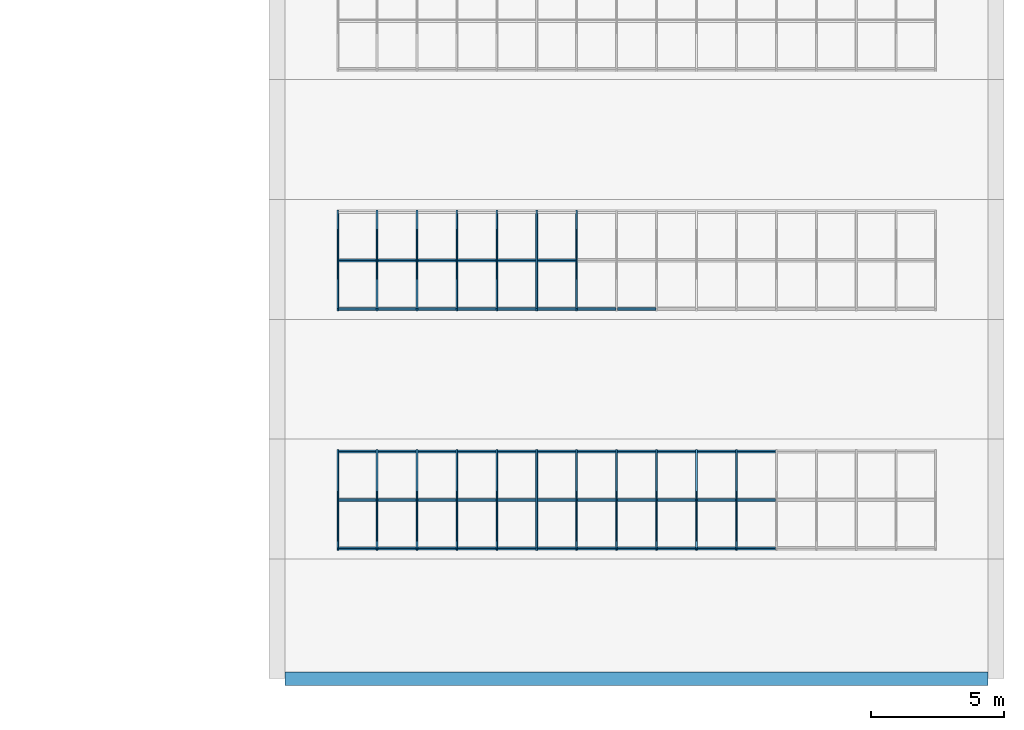
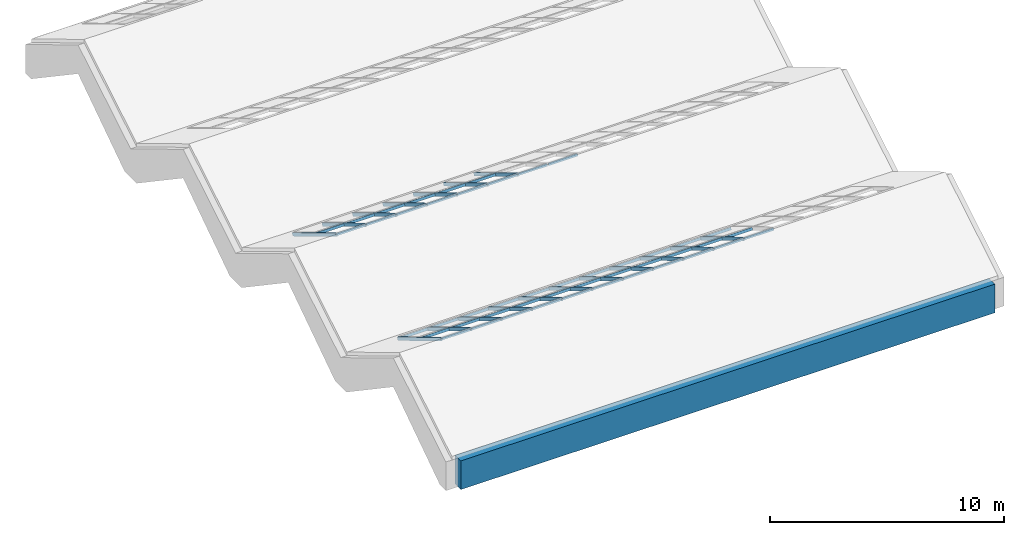
# One storey, part 2 of 29: 65 members, 1 beam, 2 elements without a shape of their own.
"""IFC4 building model written with IfcOpenShell, lengths in metres."""

from ifc_helpers import new_model, si_unit, direction, frame, origin, origin_2d, place, context, subcontext, project, spatial, rectangle, extrude, material, material_profile, profile_set, type_object, element, aggregate, save


model = new_model("IFC4")

# Units and contexts
model_context = context("Model", 3, precision=1e-05, world=origin(), true_north=direction((0.0, 1.0)))
body_context = subcontext(model_context, "Body", "Model", "MODEL_VIEW")
ifc_project = project(units=[si_unit("LENGTHUNIT", "METRE"), si_unit("AREAUNIT", "SQUARE_METRE"), si_unit("VOLUMEUNIT", "CUBIC_METRE"), si_unit("PLANEANGLEUNIT", "RADIAN"), si_unit("MASSUNIT", "GRAM", prefix="KILO")], contexts=[model_context])

# Site, building, storey
site_placement = place(None, origin())
site = spatial("IfcSite", under=ifc_project, at=site_placement, CompositionType="ELEMENT")
building_placement = place(site_placement, origin())
building = spatial("IfcBuilding", under=site, at=building_placement, Name="Merrow Basin Faculty of Sciences", CompositionType="ELEMENT")
storey_placement = place(building_placement, frame((0.0, 0.0, 22.5)))
storey = spatial("IfcBuildingStorey", under=building, at=storey_placement, Name="L05", CompositionType="ELEMENT", Elevation=22.5)

# Curtain wall, members
ifc_material_1 = material(Name="Aluminium alloy 6063", Category="aluminium")
curtain_wall_type = type_object("IfcCurtainWallType", Name="Inclined curtain wall 160", PredefinedType="NOTDEFINED", material=ifc_material_1)
curtain_wall_1_placement = place(storey_placement, origin())
curtain_wall_1 = element("IfcCurtainWall", 1, at=curtain_wall_1_placement, inside=storey, type_object=curtain_wall_type, Name="North-light glazing 1", PredefinedType="NOTDEFINED")
ifc_material_2 = material(Name="Aluminium alloy 6063", Category="aluminium")
ifc_material_profile_1 = material_profile(ifc_material_2, rectangle(XDim=0.06005859375, YDim=0.159912109375, at=origin_2d()))
ifc_profile_set_1 = profile_set([ifc_material_profile_1], Name="Aluminium alloy 6063")
member_type_1 = type_object("IfcMemberType", Name="Aluminium slot mullion 60x160", PredefinedType="MULLION", material=ifc_profile_set_1)
member_1_placement = place(storey_placement, frame((47.280029296875, 4.85888671875, 2.39111328125), z_axis=(0.0, 0.857482941352, -0.514512395662), x_axis=(-1.0, 0.0, 0.0)))
member_1 = element("IfcMember", 2, at=member_1_placement, type_object=member_type_1, Name="CW7 mullion 1", PredefinedType="MULLION", context=body_context, shape_type="SweptSolid", body=[
    extrude(rectangle(XDim=0.06005859375, YDim=0.159912109375, at=origin_2d()), origin(), (0.0, 0.0, 1.0), 4.315185546875),
])
member_2_placement = place(storey_placement, frame((48.75, 4.85888671875, 2.39111328125), z_axis=(0.0, 0.857482941352, -0.514512395662), x_axis=(-1.0, 0.0, 0.0)))
member_2 = element("IfcMember", 3, at=member_2_placement, type_object=member_type_1, Name="CW7 mullion 2", PredefinedType="MULLION", context=body_context, shape_type="SweptSolid", body=[
    extrude(rectangle(XDim=0.06005859375, YDim=0.159912109375, at=origin_2d()), origin(), (0.0, 0.0, 1.0), 4.315185546875),
])
member_3_placement = place(storey_placement, frame((50.25, 4.85888671875, 2.39111328125), z_axis=(0.0, 0.857482941352, -0.514512395662), x_axis=(-1.0, 0.0, 0.0)))
member_3 = element("IfcMember", 4, at=member_3_placement, type_object=member_type_1, Name="CW7 mullion 3", PredefinedType="MULLION", context=body_context, shape_type="SweptSolid", body=[
    extrude(rectangle(XDim=0.06005859375, YDim=0.159912109375, at=origin_2d()), origin(), (0.0, 0.0, 1.0), 4.315185546875),
])
member_4_placement = place(storey_placement, frame((51.75, 4.85888671875, 2.39111328125), z_axis=(0.0, 0.857482941352, -0.514512395662), x_axis=(-1.0, 0.0, 0.0)))
member_4 = element("IfcMember", 5, at=member_4_placement, type_object=member_type_1, Name="CW7 mullion 4", PredefinedType="MULLION", context=body_context, shape_type="SweptSolid", body=[
    extrude(rectangle(XDim=0.06005859375, YDim=0.159912109375, at=origin_2d()), origin(), (0.0, 0.0, 1.0), 4.315185546875),
])
member_5_placement = place(storey_placement, frame((53.25, 4.85888671875, 2.39111328125), z_axis=(0.0, 0.857482941352, -0.514512395662), x_axis=(-1.0, 0.0, 0.0)))
member_5 = element("IfcMember", 6, at=member_5_placement, type_object=member_type_1, Name="CW7 mullion 5", PredefinedType="MULLION", context=body_context, shape_type="SweptSolid", body=[
    extrude(rectangle(XDim=0.06005859375, YDim=0.159912109375, at=origin_2d()), origin(), (0.0, 0.0, 1.0), 4.315185546875),
])
member_6_placement = place(storey_placement, frame((54.75, 4.85888671875, 2.39111328125), z_axis=(0.0, 0.857482941352, -0.514512395662), x_axis=(-1.0, 0.0, 0.0)))
member_6 = element("IfcMember", 7, at=member_6_placement, type_object=member_type_1, Name="CW7 mullion 6", PredefinedType="MULLION", context=body_context, shape_type="SweptSolid", body=[
    extrude(rectangle(XDim=0.06005859375, YDim=0.159912109375, at=origin_2d()), origin(), (0.0, 0.0, 1.0), 4.315185546875),
])
member_7_placement = place(storey_placement, frame((56.25, 4.85888671875, 2.39111328125), z_axis=(0.0, 0.857482941352, -0.514512395662), x_axis=(-1.0, 0.0, 0.0)))
member_7 = element("IfcMember", 8, at=member_7_placement, type_object=member_type_1, Name="CW7 mullion 7", PredefinedType="MULLION", context=body_context, shape_type="SweptSolid", body=[
    extrude(rectangle(XDim=0.06005859375, YDim=0.159912109375, at=origin_2d()), origin(), (0.0, 0.0, 1.0), 4.315185546875),
])
member_8_placement = place(storey_placement, frame((57.75, 4.85888671875, 2.39111328125), z_axis=(0.0, 0.857482941352, -0.514512395662), x_axis=(-1.0, 0.0, 0.0)))
member_8 = element("IfcMember", 9, at=member_8_placement, type_object=member_type_1, Name="CW7 mullion 8", PredefinedType="MULLION", context=body_context, shape_type="SweptSolid", body=[
    extrude(rectangle(XDim=0.06005859375, YDim=0.159912109375, at=origin_2d()), origin(), (0.0, 0.0, 1.0), 4.315185546875),
])
member_9_placement = place(storey_placement, frame((59.25, 4.85888671875, 2.39111328125), z_axis=(0.0, 0.857482941352, -0.514512395662), x_axis=(-1.0, 0.0, 0.0)))
member_9 = element("IfcMember", 10, at=member_9_placement, type_object=member_type_1, Name="CW7 mullion 9", PredefinedType="MULLION", context=body_context, shape_type="SweptSolid", body=[
    extrude(rectangle(XDim=0.06005859375, YDim=0.159912109375, at=origin_2d()), origin(), (0.0, 0.0, 1.0), 4.315185546875),
])
member_10_placement = place(storey_placement, frame((60.75, 4.85888671875, 2.39111328125), z_axis=(0.0, 0.857482941352, -0.514512395662), x_axis=(-1.0, 0.0, 0.0)))
member_10 = element("IfcMember", 11, at=member_10_placement, type_object=member_type_1, Name="CW7 mullion 10", PredefinedType="MULLION", context=body_context, shape_type="SweptSolid", body=[
    extrude(rectangle(XDim=0.06005859375, YDim=0.159912109375, at=origin_2d()), origin(), (0.0, 0.0, 1.0), 4.315185546875),
])
member_11_placement = place(storey_placement, frame((62.25, 4.85888671875, 2.39111328125), z_axis=(0.0, 0.857482941352, -0.514512395662), x_axis=(-1.0, 0.0, 0.0)))
member_11 = element("IfcMember", 12, at=member_11_placement, type_object=member_type_1, Name="CW7 mullion 11", PredefinedType="MULLION", context=body_context, shape_type="SweptSolid", body=[
    extrude(rectangle(XDim=0.06005859375, YDim=0.159912109375, at=origin_2d()), origin(), (0.0, 0.0, 1.0), 4.315185546875),
])

curtain_wall_2_placement = place(storey_placement, origin())
curtain_wall_2 = element("IfcCurtainWall", 13, at=curtain_wall_2_placement, inside=storey, type_object=curtain_wall_type, Name="North-light glazing 3", PredefinedType="NOTDEFINED")
member_12_placement = place(storey_placement, frame((47.280029296875, 13.85888671875, 2.39111328125), z_axis=(0.0, 0.857482941352, -0.514512395662), x_axis=(-1.0, 0.0, 0.0)))
member_12 = element("IfcMember", 14, at=member_12_placement, type_object=member_type_1, Name="CW7 mullion 1", PredefinedType="MULLION", context=body_context, shape_type="SweptSolid", body=[
    extrude(rectangle(XDim=0.06005859375, YDim=0.159912109375, at=origin_2d()), origin(), (0.0, 0.0, 1.0), 4.315185546875),
])
member_13_placement = place(storey_placement, frame((48.75, 13.85888671875, 2.39111328125), z_axis=(0.0, 0.857482941352, -0.514512395662), x_axis=(-1.0, 0.0, 0.0)))
member_13 = element("IfcMember", 15, at=member_13_placement, type_object=member_type_1, Name="CW7 mullion 2", PredefinedType="MULLION", context=body_context, shape_type="SweptSolid", body=[
    extrude(rectangle(XDim=0.06005859375, YDim=0.159912109375, at=origin_2d()), origin(), (0.0, 0.0, 1.0), 4.315185546875),
])
member_14_placement = place(storey_placement, frame((50.25, 13.85888671875, 2.39111328125), z_axis=(0.0, 0.857482941352, -0.514512395662), x_axis=(-1.0, 0.0, 0.0)))
member_14 = element("IfcMember", 16, at=member_14_placement, type_object=member_type_1, Name="CW7 mullion 3", PredefinedType="MULLION", context=body_context, shape_type="SweptSolid", body=[
    extrude(rectangle(XDim=0.06005859375, YDim=0.159912109375, at=origin_2d()), origin(), (0.0, 0.0, 1.0), 4.315185546875),
])
member_15_placement = place(storey_placement, frame((51.75, 13.85888671875, 2.39111328125), z_axis=(0.0, 0.857482941352, -0.514512395662), x_axis=(-1.0, 0.0, 0.0)))
member_15 = element("IfcMember", 17, at=member_15_placement, type_object=member_type_1, Name="CW7 mullion 4", PredefinedType="MULLION", context=body_context, shape_type="SweptSolid", body=[
    extrude(rectangle(XDim=0.06005859375, YDim=0.159912109375, at=origin_2d()), origin(), (0.0, 0.0, 1.0), 4.315185546875),
])
member_16_placement = place(storey_placement, frame((53.25, 13.85888671875, 2.39111328125), z_axis=(0.0, 0.857482941352, -0.514512395662), x_axis=(-1.0, 0.0, 0.0)))
member_16 = element("IfcMember", 18, at=member_16_placement, type_object=member_type_1, Name="CW7 mullion 5", PredefinedType="MULLION", context=body_context, shape_type="SweptSolid", body=[
    extrude(rectangle(XDim=0.06005859375, YDim=0.159912109375, at=origin_2d()), origin(), (0.0, 0.0, 1.0), 4.315185546875),
])
member_17_placement = place(storey_placement, frame((54.75, 13.85888671875, 2.39111328125), z_axis=(0.0, 0.857482941352, -0.514512395662), x_axis=(-1.0, 0.0, 0.0)))
member_17 = element("IfcMember", 19, at=member_17_placement, type_object=member_type_1, Name="CW7 mullion 6", PredefinedType="MULLION", context=body_context, shape_type="SweptSolid", body=[
    extrude(rectangle(XDim=0.06005859375, YDim=0.159912109375, at=origin_2d()), origin(), (0.0, 0.0, 1.0), 4.315185546875),
])
member_18_placement = place(storey_placement, frame((56.25, 13.85888671875, 2.39111328125), z_axis=(0.0, 0.857482941352, -0.514512395662), x_axis=(-1.0, 0.0, 0.0)))
member_18 = element("IfcMember", 20, at=member_18_placement, type_object=member_type_1, Name="CW7 mullion 7", PredefinedType="MULLION", context=body_context, shape_type="SweptSolid", body=[
    extrude(rectangle(XDim=0.06005859375, YDim=0.159912109375, at=origin_2d()), origin(), (0.0, 0.0, 1.0), 4.315185546875),
])

# Member
ifc_material_3 = material(Name="Aluminium alloy 6063", Category="aluminium")
ifc_material_profile_2 = material_profile(ifc_material_3, rectangle(XDim=0.06005859375, YDim=0.1201171875, at=origin_2d()))
ifc_profile_set_2 = profile_set([ifc_material_profile_2], Name="Aluminium alloy 6063")
member_type_2 = type_object("IfcMemberType", Name="Aluminium slot transom 60x120", PredefinedType="USERDEFINED", material=ifc_profile_set_2)
member_19_placement = place(storey_placement, frame((47.31005859375, 4.885009765625, 2.3759765625), z_axis=(1.0, 0.0, 0.0), x_axis=(0.0, 0.857492925713, -0.514495755426)))
member_19 = element("IfcMember", 21, at=member_19_placement, type_object=member_type_2, Name="CW7 transom 1.1", ObjectType="TRANSOM", PredefinedType="USERDEFINED", context=body_context, shape_type="SweptSolid", body=[
    extrude(rectangle(XDim=0.06005859375, YDim=0.1201171875, at=origin_2d()), origin(), (0.0, 0.0, 1.0), 1.409912109375),
])

member_20_placement = place(storey_placement, frame((47.31005859375, 6.708984375, 1.281005859375), z_axis=(1.0, 0.0, 0.0), x_axis=(0.0, 0.857492925713, -0.514495755426)))
member_20 = element("IfcMember", 22, at=member_20_placement, type_object=member_type_2, Name="CW7 transom 1.2", ObjectType="TRANSOM", PredefinedType="USERDEFINED", context=body_context, shape_type="SweptSolid", body=[
    extrude(rectangle(XDim=0.06005859375, YDim=0.1201171875, at=origin_2d()), origin(), (0.0, 0.0, 1.0), 1.409912109375),
])

member_21_placement = place(storey_placement, frame((47.31005859375, 8.532958984375, 0.18701171875), z_axis=(1.0, 0.0, 0.0), x_axis=(0.0, 0.857492925713, -0.514495755426)))
member_21 = element("IfcMember", 23, at=member_21_placement, type_object=member_type_2, Name="CW7 transom 1.3", ObjectType="TRANSOM", PredefinedType="USERDEFINED", context=body_context, shape_type="SweptSolid", body=[
    extrude(rectangle(XDim=0.06005859375, YDim=0.1201171875, at=origin_2d()), origin(), (0.0, 0.0, 1.0), 1.409912109375),
])

member_22_placement = place(storey_placement, frame((48.780029296875, 4.885009765625, 2.3759765625), z_axis=(1.0, 0.0, 0.0), x_axis=(0.0, 0.857492925713, -0.514495755426)))
member_22 = element("IfcMember", 24, at=member_22_placement, type_object=member_type_2, Name="CW7 transom 2.1", ObjectType="TRANSOM", PredefinedType="USERDEFINED", context=body_context, shape_type="SweptSolid", body=[
    extrude(rectangle(XDim=0.06005859375, YDim=0.1201171875, at=origin_2d()), origin(), (0.0, 0.0, 1.0), 1.43994140625),
])

member_23_placement = place(storey_placement, frame((48.780029296875, 6.708984375, 1.281005859375), z_axis=(1.0, 0.0, 0.0), x_axis=(0.0, 0.857492925713, -0.514495755426)))
member_23 = element("IfcMember", 25, at=member_23_placement, type_object=member_type_2, Name="CW7 transom 2.2", ObjectType="TRANSOM", PredefinedType="USERDEFINED", context=body_context, shape_type="SweptSolid", body=[
    extrude(rectangle(XDim=0.06005859375, YDim=0.1201171875, at=origin_2d()), origin(), (0.0, 0.0, 1.0), 1.43994140625),
])

member_24_placement = place(storey_placement, frame((48.780029296875, 8.532958984375, 0.18701171875), z_axis=(1.0, 0.0, 0.0), x_axis=(0.0, 0.857492925713, -0.514495755426)))
member_24 = element("IfcMember", 26, at=member_24_placement, type_object=member_type_2, Name="CW7 transom 2.3", ObjectType="TRANSOM", PredefinedType="USERDEFINED", context=body_context, shape_type="SweptSolid", body=[
    extrude(rectangle(XDim=0.06005859375, YDim=0.1201171875, at=origin_2d()), origin(), (0.0, 0.0, 1.0), 1.43994140625),
])

member_25_placement = place(storey_placement, frame((50.280029296875, 4.885009765625, 2.3759765625), z_axis=(1.0, 0.0, 0.0), x_axis=(0.0, 0.857492925713, -0.514495755426)))
member_25 = element("IfcMember", 27, at=member_25_placement, type_object=member_type_2, Name="CW7 transom 3.1", ObjectType="TRANSOM", PredefinedType="USERDEFINED", context=body_context, shape_type="SweptSolid", body=[
    extrude(rectangle(XDim=0.06005859375, YDim=0.1201171875, at=origin_2d()), origin(), (0.0, 0.0, 1.0), 1.43994140625),
])

member_26_placement = place(storey_placement, frame((50.280029296875, 6.708984375, 1.281005859375), z_axis=(1.0, 0.0, 0.0), x_axis=(0.0, 0.857492925713, -0.514495755426)))
member_26 = element("IfcMember", 28, at=member_26_placement, type_object=member_type_2, Name="CW7 transom 3.2", ObjectType="TRANSOM", PredefinedType="USERDEFINED", context=body_context, shape_type="SweptSolid", body=[
    extrude(rectangle(XDim=0.06005859375, YDim=0.1201171875, at=origin_2d()), origin(), (0.0, 0.0, 1.0), 1.43994140625),
])

member_27_placement = place(storey_placement, frame((50.280029296875, 8.532958984375, 0.18701171875), z_axis=(1.0, 0.0, 0.0), x_axis=(0.0, 0.857492925713, -0.514495755426)))
member_27 = element("IfcMember", 29, at=member_27_placement, type_object=member_type_2, Name="CW7 transom 3.3", ObjectType="TRANSOM", PredefinedType="USERDEFINED", context=body_context, shape_type="SweptSolid", body=[
    extrude(rectangle(XDim=0.06005859375, YDim=0.1201171875, at=origin_2d()), origin(), (0.0, 0.0, 1.0), 1.43994140625),
])

member_28_placement = place(storey_placement, frame((51.780029296875, 4.885009765625, 2.3759765625), z_axis=(1.0, 0.0, 0.0), x_axis=(0.0, 0.857492925713, -0.514495755426)))
member_28 = element("IfcMember", 30, at=member_28_placement, type_object=member_type_2, Name="CW7 transom 4.1", ObjectType="TRANSOM", PredefinedType="USERDEFINED", context=body_context, shape_type="SweptSolid", body=[
    extrude(rectangle(XDim=0.06005859375, YDim=0.1201171875, at=origin_2d()), origin(), (0.0, 0.0, 1.0), 1.43994140625),
])

member_29_placement = place(storey_placement, frame((51.780029296875, 6.708984375, 1.281005859375), z_axis=(1.0, 0.0, 0.0), x_axis=(0.0, 0.857492925713, -0.514495755426)))
member_29 = element("IfcMember", 31, at=member_29_placement, type_object=member_type_2, Name="CW7 transom 4.2", ObjectType="TRANSOM", PredefinedType="USERDEFINED", context=body_context, shape_type="SweptSolid", body=[
    extrude(rectangle(XDim=0.06005859375, YDim=0.1201171875, at=origin_2d()), origin(), (0.0, 0.0, 1.0), 1.43994140625),
])

member_30_placement = place(storey_placement, frame((51.780029296875, 8.532958984375, 0.18701171875), z_axis=(1.0, 0.0, 0.0), x_axis=(0.0, 0.857492925713, -0.514495755426)))
member_30 = element("IfcMember", 32, at=member_30_placement, type_object=member_type_2, Name="CW7 transom 4.3", ObjectType="TRANSOM", PredefinedType="USERDEFINED", context=body_context, shape_type="SweptSolid", body=[
    extrude(rectangle(XDim=0.06005859375, YDim=0.1201171875, at=origin_2d()), origin(), (0.0, 0.0, 1.0), 1.43994140625),
])

member_31_placement = place(storey_placement, frame((53.280029296875, 4.885009765625, 2.3759765625), z_axis=(1.0, 0.0, 0.0), x_axis=(0.0, 0.857492925713, -0.514495755426)))
member_31 = element("IfcMember", 33, at=member_31_placement, type_object=member_type_2, Name="CW7 transom 5.1", ObjectType="TRANSOM", PredefinedType="USERDEFINED", context=body_context, shape_type="SweptSolid", body=[
    extrude(rectangle(XDim=0.06005859375, YDim=0.1201171875, at=origin_2d()), origin(), (0.0, 0.0, 1.0), 1.43994140625),
])

member_32_placement = place(storey_placement, frame((53.280029296875, 6.708984375, 1.281005859375), z_axis=(1.0, 0.0, 0.0), x_axis=(0.0, 0.857492925713, -0.514495755426)))
member_32 = element("IfcMember", 34, at=member_32_placement, type_object=member_type_2, Name="CW7 transom 5.2", ObjectType="TRANSOM", PredefinedType="USERDEFINED", context=body_context, shape_type="SweptSolid", body=[
    extrude(rectangle(XDim=0.06005859375, YDim=0.1201171875, at=origin_2d()), origin(), (0.0, 0.0, 1.0), 1.43994140625),
])

member_33_placement = place(storey_placement, frame((53.280029296875, 8.532958984375, 0.18701171875), z_axis=(1.0, 0.0, 0.0), x_axis=(0.0, 0.857492925713, -0.514495755426)))
member_33 = element("IfcMember", 35, at=member_33_placement, type_object=member_type_2, Name="CW7 transom 5.3", ObjectType="TRANSOM", PredefinedType="USERDEFINED", context=body_context, shape_type="SweptSolid", body=[
    extrude(rectangle(XDim=0.06005859375, YDim=0.1201171875, at=origin_2d()), origin(), (0.0, 0.0, 1.0), 1.43994140625),
])

member_34_placement = place(storey_placement, frame((54.780029296875, 4.885009765625, 2.3759765625), z_axis=(1.0, 0.0, 0.0), x_axis=(0.0, 0.857492925713, -0.514495755426)))
member_34 = element("IfcMember", 36, at=member_34_placement, type_object=member_type_2, Name="CW7 transom 6.1", ObjectType="TRANSOM", PredefinedType="USERDEFINED", context=body_context, shape_type="SweptSolid", body=[
    extrude(rectangle(XDim=0.06005859375, YDim=0.1201171875, at=origin_2d()), origin(), (0.0, 0.0, 1.0), 1.43994140625),
])

member_35_placement = place(storey_placement, frame((54.780029296875, 6.708984375, 1.281005859375), z_axis=(1.0, 0.0, 0.0), x_axis=(0.0, 0.857492925713, -0.514495755426)))
member_35 = element("IfcMember", 37, at=member_35_placement, type_object=member_type_2, Name="CW7 transom 6.2", ObjectType="TRANSOM", PredefinedType="USERDEFINED", context=body_context, shape_type="SweptSolid", body=[
    extrude(rectangle(XDim=0.06005859375, YDim=0.1201171875, at=origin_2d()), origin(), (0.0, 0.0, 1.0), 1.43994140625),
])

member_36_placement = place(storey_placement, frame((54.780029296875, 8.532958984375, 0.18701171875), z_axis=(1.0, 0.0, 0.0), x_axis=(0.0, 0.857492925713, -0.514495755426)))
member_36 = element("IfcMember", 38, at=member_36_placement, type_object=member_type_2, Name="CW7 transom 6.3", ObjectType="TRANSOM", PredefinedType="USERDEFINED", context=body_context, shape_type="SweptSolid", body=[
    extrude(rectangle(XDim=0.06005859375, YDim=0.1201171875, at=origin_2d()), origin(), (0.0, 0.0, 1.0), 1.43994140625),
])

member_37_placement = place(storey_placement, frame((56.280029296875, 4.885009765625, 2.3759765625), z_axis=(1.0, 0.0, 0.0), x_axis=(0.0, 0.857492925713, -0.514495755426)))
member_37 = element("IfcMember", 39, at=member_37_placement, type_object=member_type_2, Name="CW7 transom 7.1", ObjectType="TRANSOM", PredefinedType="USERDEFINED", context=body_context, shape_type="SweptSolid", body=[
    extrude(rectangle(XDim=0.06005859375, YDim=0.1201171875, at=origin_2d()), origin(), (0.0, 0.0, 1.0), 1.43994140625),
])

member_38_placement = place(storey_placement, frame((56.280029296875, 6.708984375, 1.281005859375), z_axis=(1.0, 0.0, 0.0), x_axis=(0.0, 0.857492925713, -0.514495755426)))
member_38 = element("IfcMember", 40, at=member_38_placement, type_object=member_type_2, Name="CW7 transom 7.2", ObjectType="TRANSOM", PredefinedType="USERDEFINED", context=body_context, shape_type="SweptSolid", body=[
    extrude(rectangle(XDim=0.06005859375, YDim=0.1201171875, at=origin_2d()), origin(), (0.0, 0.0, 1.0), 1.43994140625),
])

member_39_placement = place(storey_placement, frame((56.280029296875, 8.532958984375, 0.18701171875), z_axis=(1.0, 0.0, 0.0), x_axis=(0.0, 0.857492925713, -0.514495755426)))
member_39 = element("IfcMember", 41, at=member_39_placement, type_object=member_type_2, Name="CW7 transom 7.3", ObjectType="TRANSOM", PredefinedType="USERDEFINED", context=body_context, shape_type="SweptSolid", body=[
    extrude(rectangle(XDim=0.06005859375, YDim=0.1201171875, at=origin_2d()), origin(), (0.0, 0.0, 1.0), 1.43994140625),
])

member_40_placement = place(storey_placement, frame((57.780029296875, 4.885009765625, 2.3759765625), z_axis=(1.0, 0.0, 0.0), x_axis=(0.0, 0.857492925713, -0.514495755426)))
member_40 = element("IfcMember", 42, at=member_40_placement, type_object=member_type_2, Name="CW7 transom 8.1", ObjectType="TRANSOM", PredefinedType="USERDEFINED", context=body_context, shape_type="SweptSolid", body=[
    extrude(rectangle(XDim=0.06005859375, YDim=0.1201171875, at=origin_2d()), origin(), (0.0, 0.0, 1.0), 1.43994140625),
])

member_41_placement = place(storey_placement, frame((57.780029296875, 6.708984375, 1.281005859375), z_axis=(1.0, 0.0, 0.0), x_axis=(0.0, 0.857492925713, -0.514495755426)))
member_41 = element("IfcMember", 43, at=member_41_placement, type_object=member_type_2, Name="CW7 transom 8.2", ObjectType="TRANSOM", PredefinedType="USERDEFINED", context=body_context, shape_type="SweptSolid", body=[
    extrude(rectangle(XDim=0.06005859375, YDim=0.1201171875, at=origin_2d()), origin(), (0.0, 0.0, 1.0), 1.43994140625),
])

member_42_placement = place(storey_placement, frame((57.780029296875, 8.532958984375, 0.18701171875), z_axis=(1.0, 0.0, 0.0), x_axis=(0.0, 0.857492925713, -0.514495755426)))
member_42 = element("IfcMember", 44, at=member_42_placement, type_object=member_type_2, Name="CW7 transom 8.3", ObjectType="TRANSOM", PredefinedType="USERDEFINED", context=body_context, shape_type="SweptSolid", body=[
    extrude(rectangle(XDim=0.06005859375, YDim=0.1201171875, at=origin_2d()), origin(), (0.0, 0.0, 1.0), 1.43994140625),
])

member_43_placement = place(storey_placement, frame((59.280029296875, 4.885009765625, 2.3759765625), z_axis=(1.0, 0.0, 0.0), x_axis=(0.0, 0.857492925713, -0.514495755426)))
member_43 = element("IfcMember", 45, at=member_43_placement, type_object=member_type_2, Name="CW7 transom 9.1", ObjectType="TRANSOM", PredefinedType="USERDEFINED", context=body_context, shape_type="SweptSolid", body=[
    extrude(rectangle(XDim=0.06005859375, YDim=0.1201171875, at=origin_2d()), origin(), (0.0, 0.0, 1.0), 1.43994140625),
])

member_44_placement = place(storey_placement, frame((59.280029296875, 6.708984375, 1.281005859375), z_axis=(1.0, 0.0, 0.0), x_axis=(0.0, 0.857492925713, -0.514495755426)))
member_44 = element("IfcMember", 46, at=member_44_placement, type_object=member_type_2, Name="CW7 transom 9.2", ObjectType="TRANSOM", PredefinedType="USERDEFINED", context=body_context, shape_type="SweptSolid", body=[
    extrude(rectangle(XDim=0.06005859375, YDim=0.1201171875, at=origin_2d()), origin(), (0.0, 0.0, 1.0), 1.43994140625),
])

member_45_placement = place(storey_placement, frame((59.280029296875, 8.532958984375, 0.18701171875), z_axis=(1.0, 0.0, 0.0), x_axis=(0.0, 0.857492925713, -0.514495755426)))
member_45 = element("IfcMember", 47, at=member_45_placement, type_object=member_type_2, Name="CW7 transom 9.3", ObjectType="TRANSOM", PredefinedType="USERDEFINED", context=body_context, shape_type="SweptSolid", body=[
    extrude(rectangle(XDim=0.06005859375, YDim=0.1201171875, at=origin_2d()), origin(), (0.0, 0.0, 1.0), 1.43994140625),
])

member_46_placement = place(storey_placement, frame((60.780029296875, 4.885009765625, 2.3759765625), z_axis=(1.0, 0.0, 0.0), x_axis=(0.0, 0.857492925713, -0.514495755426)))
member_46 = element("IfcMember", 48, at=member_46_placement, type_object=member_type_2, Name="CW7 transom 10.1", ObjectType="TRANSOM", PredefinedType="USERDEFINED", context=body_context, shape_type="SweptSolid", body=[
    extrude(rectangle(XDim=0.06005859375, YDim=0.1201171875, at=origin_2d()), origin(), (0.0, 0.0, 1.0), 1.43994140625),
])

member_47_placement = place(storey_placement, frame((60.780029296875, 6.708984375, 1.281005859375), z_axis=(1.0, 0.0, 0.0), x_axis=(0.0, 0.857492925713, -0.514495755426)))
member_47 = element("IfcMember", 49, at=member_47_placement, type_object=member_type_2, Name="CW7 transom 10.2", ObjectType="TRANSOM", PredefinedType="USERDEFINED", context=body_context, shape_type="SweptSolid", body=[
    extrude(rectangle(XDim=0.06005859375, YDim=0.1201171875, at=origin_2d()), origin(), (0.0, 0.0, 1.0), 1.43994140625),
])

member_48_placement = place(storey_placement, frame((60.780029296875, 8.532958984375, 0.18701171875), z_axis=(1.0, 0.0, 0.0), x_axis=(0.0, 0.857492925713, -0.514495755426)))
member_48 = element("IfcMember", 50, at=member_48_placement, type_object=member_type_2, Name="CW7 transom 10.3", ObjectType="TRANSOM", PredefinedType="USERDEFINED", context=body_context, shape_type="SweptSolid", body=[
    extrude(rectangle(XDim=0.06005859375, YDim=0.1201171875, at=origin_2d()), origin(), (0.0, 0.0, 1.0), 1.43994140625),
])

member_49_placement = place(storey_placement, frame((62.280029296875, 4.885009765625, 2.3759765625), z_axis=(1.0, 0.0, 0.0), x_axis=(0.0, 0.857492925713, -0.514495755426)))
member_49 = element("IfcMember", 51, at=member_49_placement, type_object=member_type_2, Name="CW7 transom 11.1", ObjectType="TRANSOM", PredefinedType="USERDEFINED", context=body_context, shape_type="SweptSolid", body=[
    extrude(rectangle(XDim=0.06005859375, YDim=0.1201171875, at=origin_2d()), origin(), (0.0, 0.0, 1.0), 1.43994140625),
])

member_50_placement = place(storey_placement, frame((62.280029296875, 6.708984375, 1.281005859375), z_axis=(1.0, 0.0, 0.0), x_axis=(0.0, 0.857492925713, -0.514495755426)))
member_50 = element("IfcMember", 52, at=member_50_placement, type_object=member_type_2, Name="CW7 transom 11.2", ObjectType="TRANSOM", PredefinedType="USERDEFINED", context=body_context, shape_type="SweptSolid", body=[
    extrude(rectangle(XDim=0.06005859375, YDim=0.1201171875, at=origin_2d()), origin(), (0.0, 0.0, 1.0), 1.43994140625),
])

member_51_placement = place(storey_placement, frame((62.280029296875, 8.532958984375, 0.18701171875), z_axis=(1.0, 0.0, 0.0), x_axis=(0.0, 0.857492925713, -0.514495755426)))
member_51 = element("IfcMember", 53, at=member_51_placement, type_object=member_type_2, Name="CW7 transom 11.3", ObjectType="TRANSOM", PredefinedType="USERDEFINED", context=body_context, shape_type="SweptSolid", body=[
    extrude(rectangle(XDim=0.06005859375, YDim=0.1201171875, at=origin_2d()), origin(), (0.0, 0.0, 1.0), 1.43994140625),
])

aggregate(curtain_wall_1, [member_1, member_2, member_3, member_4, member_5, member_6, member_7, member_8, member_9, member_10, member_11, member_19, member_20, member_21, member_22, member_23, member_24, member_25, member_26, member_27, member_28, member_29, member_30, member_31, member_32, member_33, member_34, member_35, member_36, member_37, member_38, member_39, member_40, member_41, member_42, member_43, member_44, member_45, member_46, member_47, member_48, member_49, member_50, member_51])

member_52_placement = place(storey_placement, frame((47.31005859375, 13.885009765625, 2.3759765625), z_axis=(1.0, 0.0, 0.0), x_axis=(0.0, 0.857492925713, -0.514495755426)))
member_52 = element("IfcMember", 54, at=member_52_placement, type_object=member_type_2, Name="CW7 transom 1.1", ObjectType="TRANSOM", PredefinedType="USERDEFINED", context=body_context, shape_type="SweptSolid", body=[
    extrude(rectangle(XDim=0.06005859375, YDim=0.1201171875, at=origin_2d()), origin(), (0.0, 0.0, 1.0), 1.409912109375),
])

member_53_placement = place(storey_placement, frame((47.31005859375, 15.708984375, 1.281005859375), z_axis=(1.0, 0.0, 0.0), x_axis=(0.0, 0.857492925713, -0.514495755426)))
member_53 = element("IfcMember", 55, at=member_53_placement, type_object=member_type_2, Name="CW7 transom 1.2", ObjectType="TRANSOM", PredefinedType="USERDEFINED", context=body_context, shape_type="SweptSolid", body=[
    extrude(rectangle(XDim=0.06005859375, YDim=0.1201171875, at=origin_2d()), origin(), (0.0, 0.0, 1.0), 1.409912109375),
])

member_54_placement = place(storey_placement, frame((48.780029296875, 13.885009765625, 2.3759765625), z_axis=(1.0, 0.0, 0.0), x_axis=(0.0, 0.857492925713, -0.514495755426)))
member_54 = element("IfcMember", 56, at=member_54_placement, type_object=member_type_2, Name="CW7 transom 2.1", ObjectType="TRANSOM", PredefinedType="USERDEFINED", context=body_context, shape_type="SweptSolid", body=[
    extrude(rectangle(XDim=0.06005859375, YDim=0.1201171875, at=origin_2d()), origin(), (0.0, 0.0, 1.0), 1.43994140625),
])

member_55_placement = place(storey_placement, frame((48.780029296875, 15.708984375, 1.281005859375), z_axis=(1.0, 0.0, 0.0), x_axis=(0.0, 0.857492925713, -0.514495755426)))
member_55 = element("IfcMember", 57, at=member_55_placement, type_object=member_type_2, Name="CW7 transom 2.2", ObjectType="TRANSOM", PredefinedType="USERDEFINED", context=body_context, shape_type="SweptSolid", body=[
    extrude(rectangle(XDim=0.06005859375, YDim=0.1201171875, at=origin_2d()), origin(), (0.0, 0.0, 1.0), 1.43994140625),
])

member_56_placement = place(storey_placement, frame((50.280029296875, 13.885009765625, 2.3759765625), z_axis=(1.0, 0.0, 0.0), x_axis=(0.0, 0.857492925713, -0.514495755426)))
member_56 = element("IfcMember", 58, at=member_56_placement, type_object=member_type_2, Name="CW7 transom 3.1", ObjectType="TRANSOM", PredefinedType="USERDEFINED", context=body_context, shape_type="SweptSolid", body=[
    extrude(rectangle(XDim=0.06005859375, YDim=0.1201171875, at=origin_2d()), origin(), (0.0, 0.0, 1.0), 1.43994140625),
])

member_57_placement = place(storey_placement, frame((50.280029296875, 15.708984375, 1.281005859375), z_axis=(1.0, 0.0, 0.0), x_axis=(0.0, 0.857492925713, -0.514495755426)))
member_57 = element("IfcMember", 59, at=member_57_placement, type_object=member_type_2, Name="CW7 transom 3.2", ObjectType="TRANSOM", PredefinedType="USERDEFINED", context=body_context, shape_type="SweptSolid", body=[
    extrude(rectangle(XDim=0.06005859375, YDim=0.1201171875, at=origin_2d()), origin(), (0.0, 0.0, 1.0), 1.43994140625),
])

member_58_placement = place(storey_placement, frame((51.780029296875, 13.885009765625, 2.3759765625), z_axis=(1.0, 0.0, 0.0), x_axis=(0.0, 0.857492925713, -0.514495755426)))
member_58 = element("IfcMember", 60, at=member_58_placement, type_object=member_type_2, Name="CW7 transom 4.1", ObjectType="TRANSOM", PredefinedType="USERDEFINED", context=body_context, shape_type="SweptSolid", body=[
    extrude(rectangle(XDim=0.06005859375, YDim=0.1201171875, at=origin_2d()), origin(), (0.0, 0.0, 1.0), 1.43994140625),
])

member_59_placement = place(storey_placement, frame((51.780029296875, 15.708984375, 1.281005859375), z_axis=(1.0, 0.0, 0.0), x_axis=(0.0, 0.857492925713, -0.514495755426)))
member_59 = element("IfcMember", 61, at=member_59_placement, type_object=member_type_2, Name="CW7 transom 4.2", ObjectType="TRANSOM", PredefinedType="USERDEFINED", context=body_context, shape_type="SweptSolid", body=[
    extrude(rectangle(XDim=0.06005859375, YDim=0.1201171875, at=origin_2d()), origin(), (0.0, 0.0, 1.0), 1.43994140625),
])

member_60_placement = place(storey_placement, frame((53.280029296875, 13.885009765625, 2.3759765625), z_axis=(1.0, 0.0, 0.0), x_axis=(0.0, 0.857492925713, -0.514495755426)))
member_60 = element("IfcMember", 62, at=member_60_placement, type_object=member_type_2, Name="CW7 transom 5.1", ObjectType="TRANSOM", PredefinedType="USERDEFINED", context=body_context, shape_type="SweptSolid", body=[
    extrude(rectangle(XDim=0.06005859375, YDim=0.1201171875, at=origin_2d()), origin(), (0.0, 0.0, 1.0), 1.43994140625),
])

member_61_placement = place(storey_placement, frame((53.280029296875, 15.708984375, 1.281005859375), z_axis=(1.0, 0.0, 0.0), x_axis=(0.0, 0.857492925713, -0.514495755426)))
member_61 = element("IfcMember", 63, at=member_61_placement, type_object=member_type_2, Name="CW7 transom 5.2", ObjectType="TRANSOM", PredefinedType="USERDEFINED", context=body_context, shape_type="SweptSolid", body=[
    extrude(rectangle(XDim=0.06005859375, YDim=0.1201171875, at=origin_2d()), origin(), (0.0, 0.0, 1.0), 1.43994140625),
])

member_62_placement = place(storey_placement, frame((54.780029296875, 13.885009765625, 2.3759765625), z_axis=(1.0, 0.0, 0.0), x_axis=(0.0, 0.857492925713, -0.514495755426)))
member_62 = element("IfcMember", 64, at=member_62_placement, type_object=member_type_2, Name="CW7 transom 6.1", ObjectType="TRANSOM", PredefinedType="USERDEFINED", context=body_context, shape_type="SweptSolid", body=[
    extrude(rectangle(XDim=0.06005859375, YDim=0.1201171875, at=origin_2d()), origin(), (0.0, 0.0, 1.0), 1.43994140625),
])

member_63_placement = place(storey_placement, frame((54.780029296875, 15.708984375, 1.281005859375), z_axis=(1.0, 0.0, 0.0), x_axis=(0.0, 0.857492925713, -0.514495755426)))
member_63 = element("IfcMember", 65, at=member_63_placement, type_object=member_type_2, Name="CW7 transom 6.2", ObjectType="TRANSOM", PredefinedType="USERDEFINED", context=body_context, shape_type="SweptSolid", body=[
    extrude(rectangle(XDim=0.06005859375, YDim=0.1201171875, at=origin_2d()), origin(), (0.0, 0.0, 1.0), 1.43994140625),
])

member_64_placement = place(storey_placement, frame((56.280029296875, 13.885009765625, 2.3759765625), z_axis=(1.0, 0.0, 0.0), x_axis=(0.0, 0.857492925713, -0.514495755426)))
member_64 = element("IfcMember", 66, at=member_64_placement, type_object=member_type_2, Name="CW7 transom 7.1", ObjectType="TRANSOM", PredefinedType="USERDEFINED", context=body_context, shape_type="SweptSolid", body=[
    extrude(rectangle(XDim=0.06005859375, YDim=0.1201171875, at=origin_2d()), origin(), (0.0, 0.0, 1.0), 1.43994140625),
])

member_65_placement = place(storey_placement, frame((57.780029296875, 13.885009765625, 2.3759765625), z_axis=(1.0, 0.0, 0.0), x_axis=(0.0, 0.857492925713, -0.514495755426)))
member_65 = element("IfcMember", 67, at=member_65_placement, type_object=member_type_2, Name="CW7 transom 8.1", ObjectType="TRANSOM", PredefinedType="USERDEFINED", context=body_context, shape_type="SweptSolid", body=[
    extrude(rectangle(XDim=0.06005859375, YDim=0.1201171875, at=origin_2d()), origin(), (0.0, 0.0, 1.0), 1.43994140625),
])

aggregate(curtain_wall_2, [member_12, member_13, member_14, member_15, member_16, member_17, member_18, member_52, member_53, member_54, member_55, member_56, member_57, member_58, member_59, member_60, member_61, member_62, member_63, member_64, member_65])

# Beam
ifc_material_4 = material(Name="Concrete C50/60", Category="concrete")
ifc_material_profile_3 = material_profile(ifc_material_4, rectangle(XDim=0.5, YDim=1.5, at=origin_2d()))
ifc_profile_set_3 = profile_set([ifc_material_profile_3], Name="Concrete C50/60")
beam_type = type_object("IfcBeamType", Name="Fold edge beam RC500x1500 C50/60", PredefinedType="BEAM", material=ifc_profile_set_3)
beam_placement = place(storey_placement, frame((45.300048828125, 0.0, -0.93701171875), z_axis=(1.0, 0.0, 0.0), x_axis=(0.0, 1.0, 0.0)))
element("IfcBeam", 68, at=beam_placement, inside=storey, type_object=beam_type, Name="FE1 L05 001", PredefinedType="BEAM", context=body_context, shape_type="SweptSolid", body=[
    extrude(rectangle(XDim=0.5, YDim=1.5, at=origin_2d()), origin(), (0.0, 0.0, 1.0), 26.39990234375),
])

save(model, "model.ifc")
